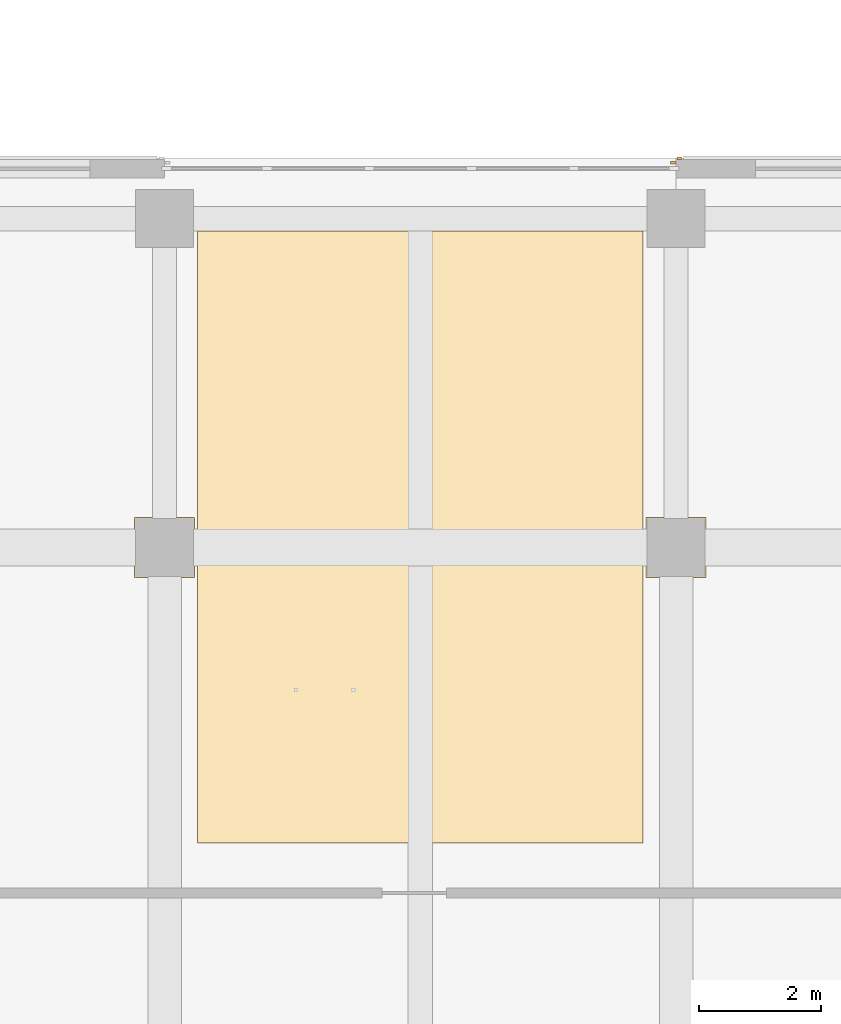
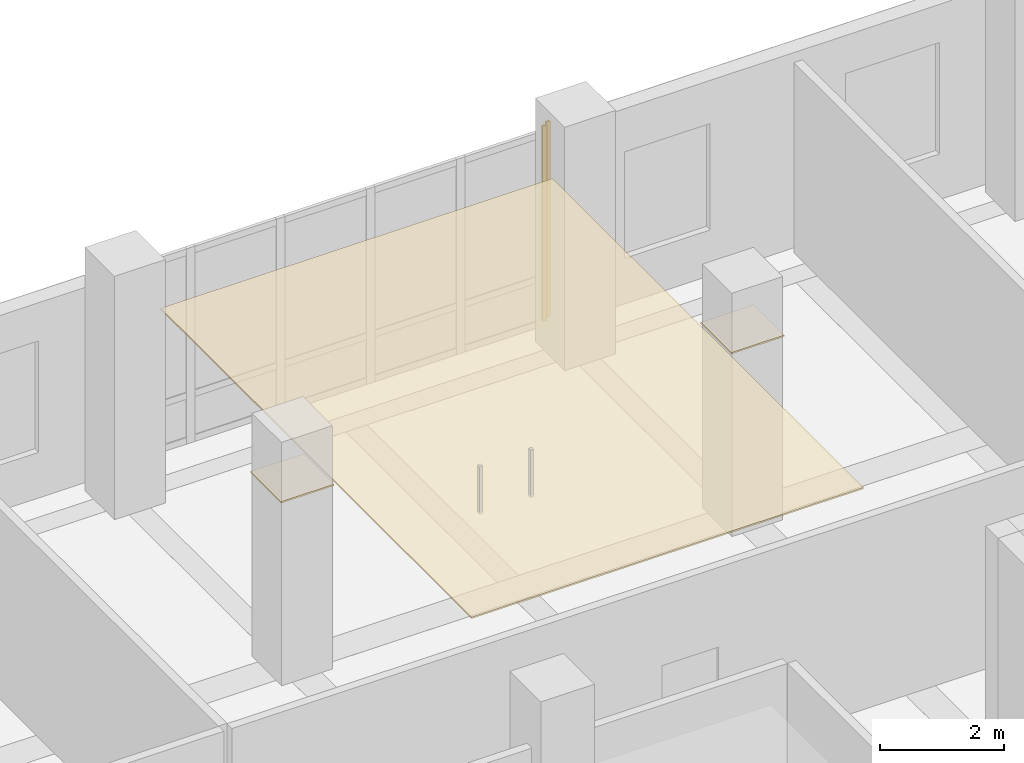
# One storey, part 116 of 122: 3 coverings.
"""IFC4 building model written with IfcOpenShell, lengths in metres."""

from ifc_helpers import new_model, si_unit, direction, frame, origin, origin_2d, place, context, subcontext, project, spatial, polyline, rectangle, outline, extrude, material, layer, layer_set, type_object, element, save


model = new_model("IFC4")

# Units and contexts
model_context = context("Model", 3, precision=1e-05, world=origin(), true_north=direction((0.0, 1.0)))
body_context = subcontext(model_context, "Body", "Model", "MODEL_VIEW")
ifc_project = project(units=[si_unit("LENGTHUNIT", "METRE"), si_unit("AREAUNIT", "SQUARE_METRE"), si_unit("VOLUMEUNIT", "CUBIC_METRE"), si_unit("PLANEANGLEUNIT", "RADIAN"), si_unit("MASSUNIT", "GRAM", prefix="KILO")], contexts=[model_context])

# Site, building, storey
site_placement = place(None, origin())
site = spatial("IfcSite", under=ifc_project, at=site_placement, CompositionType="ELEMENT")
building_placement = place(site_placement, origin())
building = spatial("IfcBuilding", under=site, at=building_placement, Name="Telukmera Botanical Conservatory", CompositionType="ELEMENT")
storey_placement = place(building_placement, frame((0.0, 0.0, 10.199951171875)))
storey = spatial("IfcBuildingStorey", under=building, at=storey_placement, Name="L02", CompositionType="ELEMENT", Elevation=10.199951171875)

# Coverings
ifc_material_1 = material(Name="Mineral fibre acoustic ceiling")
ifc_layer_1 = layer(ifc_material_1, 0.030029296875)
ifc_layer_set_1 = layer_set([ifc_layer_1], Name="Mineral fibre acoustic ceiling")
covering_type_1 = type_object("IfcCoveringType", Name="COV-CEIL-30", PredefinedType="CEILING", material=ifc_layer_set_1)
covering_placement = place(storey_placement, frame((0.0, 0.0, 3.6201171875)))
element("IfcCovering", 1, at=covering_placement, inside=storey, type_object=covering_type_1, Name="L02 Bioinformatics Laboratory Suspended Acoustic Ceiling", PredefinedType="CEILING", context=body_context, shape_type="SweptSolid", body=[
    extrude(outline(polyline([(84.544921875, 37.949951171875), (91.85498046875, 37.949951171875), (91.85498046875, 48.0), (84.544921875, 48.0), (84.544921875, 37.949951171875)]), holes=[polyline([(83.5048828125, 42.304931640625), (84.4951171875, 42.304931640625), (84.4951171875, 43.294921875), (83.5048828125, 43.294921875), (83.5048828125, 42.304931640625)]), polyline([(91.905029296875, 42.304931640625), (92.89501953125, 42.304931640625), (92.89501953125, 43.294921875), (91.905029296875, 43.294921875), (91.905029296875, 42.304931640625)])]), origin(), (0.0, 0.0, 1.0), 0.030029296875),
])
ifc_material_2 = material(Name="Granite-faced precast concrete C40/50", Category="masonry")
ifc_layer_2 = layer(ifc_material_2, 0.0400390625)
ifc_layer_set_2 = layer_set([ifc_layer_2], Name="Granite-faced precast concrete C40/50")
covering_type_2 = type_object("IfcCoveringType", Name="Granite Precast Column Pier Reveal Casing", PredefinedType="CLADDING", material=ifc_layer_set_2)
for number, where, z_axis, x_axis, name in (
    (2, (92.347900390625, 49.1201171875, 0.0), (0.0, 0.0, 1.0), (1.0, 0.0, 0.0), "Granite Pier Reveal V4:L02:N5 R"),
    (3, (92.451904296875, 49.18994140625, 0.0), (0.0, 0.0, 1.0), (1.0, 0.0, 0.0), "Granite Pier Reveal V4:L02:N6 L"),
):
    element("IfcCovering", number, at=place(storey_placement, frame(where, z_axis=z_axis, x_axis=x_axis)), inside=storey, type_object=covering_type_2, Name=name, PredefinedType="CLADDING", context=body_context, shape_type="SweptSolid", body=[
        extrude(rectangle(XDim=0.080078125, YDim=0.0400390625, at=origin_2d()), origin(), (0.0, 0.0, 1.0), 3.85009765625),
    ])

save(model, "model.ifc")
